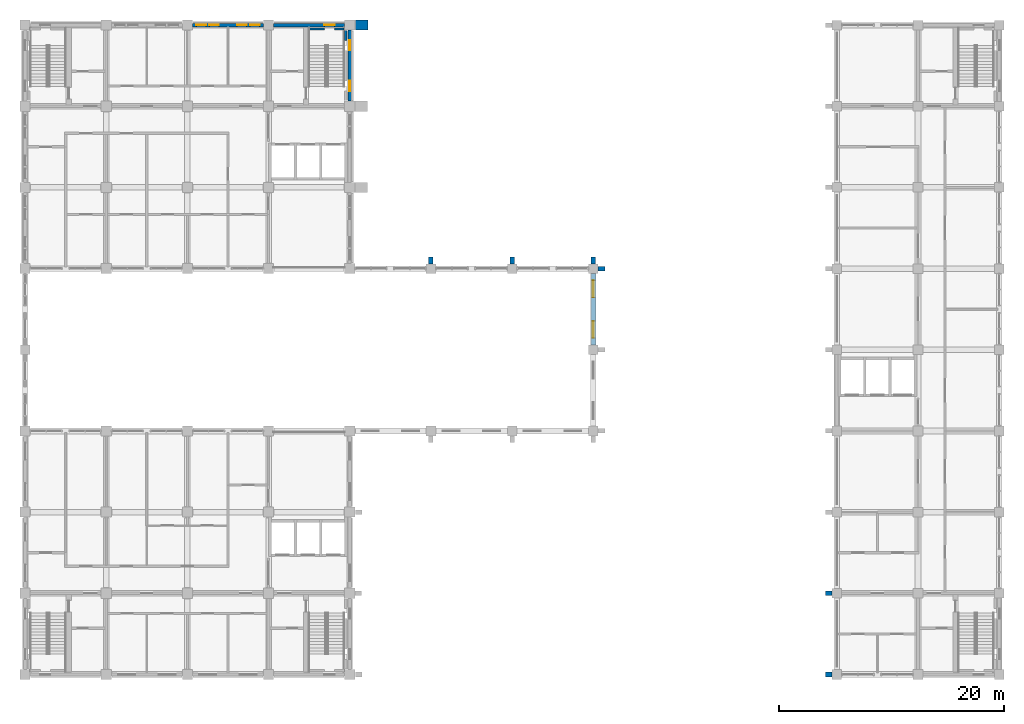
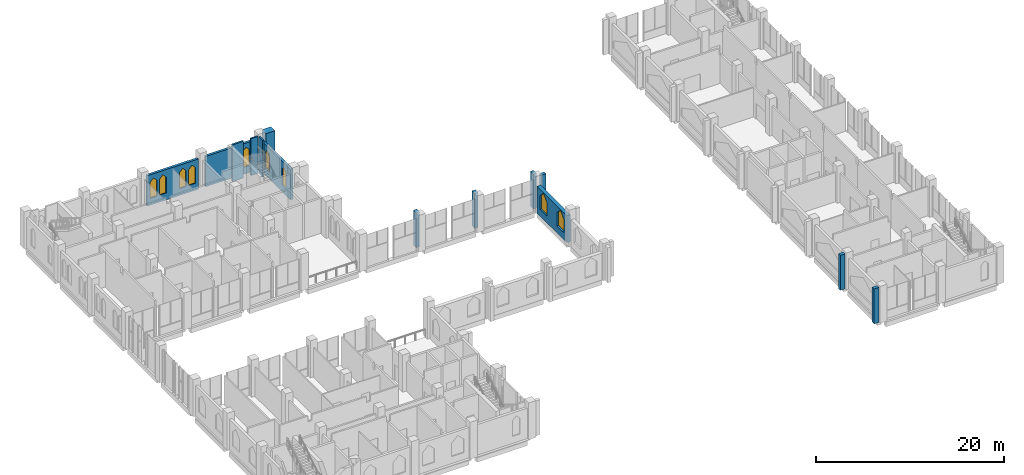
# One storey, part 33 of 40: 14 walls, 9 windows, 9 openings.
"""IFC4 building model written with IfcOpenShell, lengths in metres."""

from ifc_helpers import new_model, si_unit, direction, frame, frame_2d, origin, place, context, subcontext, project, spatial, polyline, rectangle, outline, extrude, material, layer, layer_set, type_object, element, fill, save


model = new_model("IFC4")

# Units and contexts
model_context = context("Model", 3, precision=1e-05, world=origin(), true_north=direction((0.0, 1.0)))
body_context = subcontext(model_context, "Body", "Model", "MODEL_VIEW")
ifc_project = project(units=[si_unit("LENGTHUNIT", "METRE"), si_unit("AREAUNIT", "SQUARE_METRE"), si_unit("VOLUMEUNIT", "CUBIC_METRE"), si_unit("PLANEANGLEUNIT", "RADIAN"), si_unit("MASSUNIT", "GRAM", prefix="KILO")], contexts=[model_context])

# Site, building, storey
site_placement = place(None, origin())
site = spatial("IfcSite", under=ifc_project, at=site_placement, CompositionType="ELEMENT")
building_placement = place(site_placement, origin())
building = spatial("IfcBuilding", under=site, at=building_placement, Name="Silangan Lancet Faculty of Sciences", CompositionType="ELEMENT")
storey_placement = place(building_placement, frame((0.0, 0.0, 16.800048828125)))
storey = spatial("IfcBuildingStorey", under=building, at=storey_placement, Name="L03", CompositionType="ELEMENT", Elevation=16.800048828125)

# Wall, openings, windows
ifc_material_1 = material(Name="Concrete C40/50 precast", Category="concrete")
ifc_layer_1 = layer(ifc_material_1, 0.300048828125)
ifc_layer_set_1 = layer_set([ifc_layer_1], Name="Concrete C40/50 precast")
wall_type_1 = type_object("IfcWallType", Name="EW1 Precast cladding wall", PredefinedType="STANDARD", material=ifc_layer_set_1)
wall_1_placement = place(storey_placement, frame((21.14990234375, 57.60009765625, 0.0), z_axis=(0.0, 0.0, 1.0), x_axis=(-1.0, 0.0, 0.0)))
wall_1 = element("IfcWall", 1, at=wall_1_placement, inside=storey, type_object=wall_type_1, Name="EW-L03-N-NT-01", PredefinedType="STANDARD", context=body_context, shape_type="SweptSolid", body=[
    extrude(rectangle(XDim=6.2998046875, YDim=0.300048828125, at=frame_2d((3.14990234375, 0.0))), origin(), (0.0, 0.0, 1.0), 3.949951171875),
])
opening_1_placement = place(wall_1_placement, frame((0.35009765625, 0.0, 0.89990234375)))
opening_1 = element("IfcOpeningElement", 2, at=opening_1_placement, cuts=wall_1, Name="Opening W14", PredefinedType="OPENING", context=body_context, shape_type="SweptSolid", body=[
    extrude(outline(polyline([(0.0, 0.0), (0.85009765625, 0.0), (0.85009765625, 2.050048828125), (0.425048828125, 2.5), (0.0, 2.050048828125), (0.0, 0.0)])), frame((0.0, 0.159912109375, 0.0), z_axis=(0.0, -1.0, 0.0), x_axis=(1.0, 0.0, 0.0)), (0.0, 0.0, 1.0), 0.320068359375),
])
opening_2_placement = place(wall_1_placement, frame((1.5, 0.0, 0.89990234375)))
opening_2 = element("IfcOpeningElement", 3, at=opening_2_placement, cuts=wall_1, Name="Opening W14", PredefinedType="OPENING", context=body_context, shape_type="SweptSolid", body=[
    extrude(outline(polyline([(0.0, 0.0), (0.85009765625, 0.0), (0.85009765625, 2.050048828125), (0.425048828125, 2.5), (0.0, 2.050048828125), (0.0, 0.0)])), frame((0.0, 0.159912109375, 0.0), z_axis=(0.0, -1.0, 0.0), x_axis=(1.0, 0.0, 0.0)), (0.0, 0.0, 1.0), 0.320068359375),
])
opening_3_placement = place(wall_1_placement, frame((3.949951171875, 0.0, 0.89990234375)))
opening_3 = element("IfcOpeningElement", 4, at=opening_3_placement, cuts=wall_1, Name="Opening W14", PredefinedType="OPENING", context=body_context, shape_type="SweptSolid", body=[
    extrude(outline(polyline([(0.0, 0.0), (0.85009765625, 0.0), (0.85009765625, 2.050048828125), (0.425048828125, 2.5), (0.0, 2.050048828125), (0.0, 0.0)])), frame((0.0, 0.159912109375, 0.0), z_axis=(0.0, -1.0, 0.0), x_axis=(1.0, 0.0, 0.0)), (0.0, 0.0, 1.0), 0.320068359375),
])
opening_4_placement = place(wall_1_placement, frame((5.10009765625, 0.0, 0.89990234375)))
opening_4 = element("IfcOpeningElement", 5, at=opening_4_placement, cuts=wall_1, Name="Opening W14", PredefinedType="OPENING", context=body_context, shape_type="SweptSolid", body=[
    extrude(outline(polyline([(0.0, 0.0), (0.85009765625, 0.0), (0.85009765625, 2.050048828125), (0.425048828125, 2.5), (0.0, 2.050048828125), (0.0, 0.0)])), frame((0.0, 0.159912109375, 0.0), z_axis=(0.0, -1.0, 0.0), x_axis=(1.0, 0.0, 0.0)), (0.0, 0.0, 1.0), 0.320068359375),
])
ifc_material_2 = material(Name="Aluminium frame, laminated double glazing", Category="aluminium")
window_type_1 = type_object("IfcWindowType", Name="W14 Lancet window 850 x 2500", PartitioningType="SINGLE_PANEL", PredefinedType="WINDOW", material=ifc_material_2)
window_1_placement = place(opening_1_placement, origin())
window_1 = element("IfcWindow", 6, at=window_1_placement, inside=storey, type_object=window_type_1, Name="WIN-L03-N-NT-01a1", OverallHeight=2.5, OverallWidth=0.85009765625, PartitioningType="SINGLE_PANEL", PredefinedType="WINDOW", context=body_context, shape_type="SweptSolid", body=[
    extrude(outline(polyline([(0.0, 0.0), (0.85009765625, 0.0), (0.85009765625, 2.050048828125), (0.425048828125, 2.5), (0.0, 2.050048828125), (0.0, 0.0)])), frame((0.0, 0.030029296875, 0.0), z_axis=(0.0, -1.0, 0.0), x_axis=(1.0, 0.0, 0.0)), (0.0, 0.0, 1.0), 0.06005859375),
])
fill(opening_1, window_1)
window_2_placement = place(opening_2_placement, origin())
window_2 = element("IfcWindow", 7, at=window_2_placement, inside=storey, type_object=window_type_1, Name="WIN-L03-N-NT-01a2", OverallHeight=2.5, OverallWidth=0.85009765625, PartitioningType="SINGLE_PANEL", PredefinedType="WINDOW", context=body_context, shape_type="SweptSolid", body=[
    extrude(outline(polyline([(0.0, 0.0), (0.85009765625, 0.0), (0.85009765625, 2.050048828125), (0.425048828125, 2.5), (0.0, 2.050048828125), (0.0, 0.0)])), frame((0.0, 0.030029296875, 0.0), z_axis=(0.0, -1.0, 0.0), x_axis=(1.0, 0.0, 0.0)), (0.0, 0.0, 1.0), 0.06005859375),
])
fill(opening_2, window_2)
window_3_placement = place(opening_3_placement, origin())
window_3 = element("IfcWindow", 8, at=window_3_placement, inside=storey, type_object=window_type_1, Name="WIN-L03-N-NT-01b1", OverallHeight=2.5, OverallWidth=0.85009765625, PartitioningType="SINGLE_PANEL", PredefinedType="WINDOW", context=body_context, shape_type="SweptSolid", body=[
    extrude(outline(polyline([(0.0, 0.0), (0.85009765625, 0.0), (0.85009765625, 2.050048828125), (0.425048828125, 2.5), (0.0, 2.050048828125), (0.0, 0.0)])), frame((0.0, 0.030029296875, 0.0), z_axis=(0.0, -1.0, 0.0), x_axis=(1.0, 0.0, 0.0)), (0.0, 0.0, 1.0), 0.06005859375),
])
fill(opening_3, window_3)
window_4_placement = place(opening_4_placement, origin())
window_4 = element("IfcWindow", 9, at=window_4_placement, inside=storey, type_object=window_type_1, Name="WIN-L03-N-NT-01b2", OverallHeight=2.5, OverallWidth=0.85009765625, PartitioningType="SINGLE_PANEL", PredefinedType="WINDOW", context=body_context, shape_type="SweptSolid", body=[
    extrude(outline(polyline([(0.0, 0.0), (0.85009765625, 0.0), (0.85009765625, 2.050048828125), (0.425048828125, 2.5), (0.0, 2.050048828125), (0.0, 0.0)])), frame((0.0, 0.030029296875, 0.0), z_axis=(0.0, -1.0, 0.0), x_axis=(1.0, 0.0, 0.0)), (0.0, 0.0, 1.0), 0.06005859375),
])
fill(opening_4, window_4)

# Wall, opening, window
ifc_material_3 = material(Name="Concrete C40/50 precast", Category="concrete")
ifc_layer_2 = layer(ifc_material_3, 0.300048828125)
ifc_layer_set_2 = layer_set([ifc_layer_2], Name="Concrete C40/50 precast")
wall_type_2 = type_object("IfcWallType", Name="EW2 Turret enclosure wall", PredefinedType="STANDARD", material=ifc_layer_set_2)
wall_2_placement = place(storey_placement, frame((28.35009765625, 57.60009765625, 0.0), z_axis=(0.0, 0.0, 1.0), x_axis=(-1.0, 0.0, 0.0)))
wall_2 = element("IfcWall", 10, at=wall_2_placement, inside=storey, type_object=wall_type_2, Name="EW-L03-N-NT-00", PredefinedType="STANDARD", context=body_context, shape_type="SweptSolid", body=[
    extrude(rectangle(XDim=6.300048828125, YDim=0.300048828125, at=frame_2d((3.14990234375, 0.0))), origin(), (0.0, 0.0, 1.0), 3.949951171875),
])
opening_5_placement = place(wall_2_placement, frame((0.89990234375, 0.0, 0.89990234375)))
opening_5 = element("IfcOpeningElement", 11, at=opening_5_placement, cuts=wall_2, Name="Opening W11", PredefinedType="OPENING", context=body_context, shape_type="SweptSolid", body=[
    extrude(outline(polyline([(0.0, 0.0), (0.89990234375, 0.0), (0.89990234375, 2.050048828125), (0.449951171875, 2.5), (0.0, 2.050048828125), (0.0, 0.0)])), frame((0.0, 0.159912109375, 0.0), z_axis=(0.0, -1.0, 0.0), x_axis=(1.0, 0.0, 0.0)), (0.0, 0.0, 1.0), 0.320068359375),
])
ifc_material_4 = material(Name="Aluminium frame, laminated double glazing", Category="aluminium")
window_type_2 = type_object("IfcWindowType", Name="W11 Lancet window 900 x 2500", PartitioningType="SINGLE_PANEL", PredefinedType="WINDOW", material=ifc_material_4)
window_5_placement = place(opening_5_placement, origin())
window_5 = element("IfcWindow", 12, at=window_5_placement, inside=storey, type_object=window_type_2, Name="WIN-L03-N-NT-00a", OverallHeight=2.5, OverallWidth=0.89990234375, PartitioningType="SINGLE_PANEL", PredefinedType="WINDOW", context=body_context, shape_type="SweptSolid", body=[
    extrude(outline(polyline([(0.0, 0.0), (0.89990234375, 0.0), (0.89990234375, 2.050048828125), (0.449951171875, 2.5), (0.0, 2.050048828125), (0.0, 0.0)])), frame((0.0, 0.030029296875, 0.0), z_axis=(0.0, -1.0, 0.0), x_axis=(1.0, 0.0, 0.0)), (0.0, 0.0, 1.0), 0.06005859375),
])
fill(opening_5, window_5)

# Wall, openings, windows
wall_3_placement = place(storey_placement, frame((28.800048828125, 50.85009765625, 0.0), z_axis=(0.0, 0.0, 1.0), x_axis=(0.0, 1.0, 0.0)))
wall_3 = element("IfcWall", 13, at=wall_3_placement, inside=storey, type_object=wall_type_2, Name="EW-L03-E-NT-02", PredefinedType="STANDARD", context=body_context, shape_type="SweptSolid", body=[
    extrude(rectangle(XDim=6.2998046875, YDim=0.300048828125, at=frame_2d((3.14990234375, 0.0))), origin(), (0.0, 0.0, 1.0), 3.949951171875),
])
opening_6_placement = place(wall_3_placement, frame((0.89990234375, 0.0, 0.89990234375)))
opening_6 = element("IfcOpeningElement", 14, at=opening_6_placement, cuts=wall_3, Name="Opening W11", PredefinedType="OPENING", context=body_context, shape_type="SweptSolid", body=[
    extrude(outline(polyline([(0.0, 0.0), (0.89990234375, 0.0), (0.89990234375, 2.050048828125), (0.449951171875, 2.5), (0.0, 2.050048828125), (0.0, 0.0)])), frame((0.0, 0.159912109375, 0.0), z_axis=(0.0, -1.0, 0.0), x_axis=(1.0, 0.0, 0.0)), (0.0, 0.0, 1.0), 0.320068359375),
])
opening_7_placement = place(wall_3_placement, frame((4.5, 0.0, 0.89990234375)))
opening_7 = element("IfcOpeningElement", 15, at=opening_7_placement, cuts=wall_3, Name="Opening W11", PredefinedType="OPENING", context=body_context, shape_type="SweptSolid", body=[
    extrude(outline(polyline([(0.0, 0.0), (0.89990234375, 0.0), (0.89990234375, 2.050048828125), (0.449951171875, 2.5), (0.0, 2.050048828125), (0.0, 0.0)])), frame((0.0, 0.159912109375, 0.0), z_axis=(0.0, -1.0, 0.0), x_axis=(1.0, 0.0, 0.0)), (0.0, 0.0, 1.0), 0.320068359375),
])
window_6_placement = place(opening_6_placement, origin())
window_6 = element("IfcWindow", 16, at=window_6_placement, inside=storey, type_object=window_type_2, Name="WIN-L03-E-NT-02a", OverallHeight=2.5, OverallWidth=0.89990234375, PartitioningType="SINGLE_PANEL", PredefinedType="WINDOW", context=body_context, shape_type="SweptSolid", body=[
    extrude(outline(polyline([(0.0, 0.0), (0.89990234375, 0.0), (0.89990234375, 2.050048828125), (0.449951171875, 2.5), (0.0, 2.050048828125), (0.0, 0.0)])), frame((0.0, 0.030029296875, 0.0), z_axis=(0.0, -1.0, 0.0), x_axis=(1.0, 0.0, 0.0)), (0.0, 0.0, 1.0), 0.06005859375),
])
fill(opening_6, window_6)
window_7_placement = place(opening_7_placement, origin())
window_7 = element("IfcWindow", 17, at=window_7_placement, inside=storey, type_object=window_type_2, Name="WIN-L03-E-NT-02b", OverallHeight=2.5, OverallWidth=0.89990234375, PartitioningType="SINGLE_PANEL", PredefinedType="WINDOW", context=body_context, shape_type="SweptSolid", body=[
    extrude(outline(polyline([(0.0, 0.0), (0.89990234375, 0.0), (0.89990234375, 2.050048828125), (0.449951171875, 2.5), (0.0, 2.050048828125), (0.0, 0.0)])), frame((0.0, 0.030029296875, 0.0), z_axis=(0.0, -1.0, 0.0), x_axis=(1.0, 0.0, 0.0)), (0.0, 0.0, 1.0), 0.06005859375),
])
fill(opening_7, window_7)

ifc_material_5 = material(Name="Concrete C40/50", Category="concrete")
ifc_layer_3 = layer(ifc_material_5, 0.449951171875)
ifc_layer_set_3 = layer_set([ifc_layer_3], Name="Concrete C40/50")
wall_type_3 = type_object("IfcWallType", Name="EW8 Clerestory wall with deep reveals", PredefinedType="STANDARD", material=ifc_layer_set_3)
wall_4_placement = place(storey_placement, frame((50.39990234375, 29.22509765625, 0.0), z_axis=(0.0, 0.0, 1.0), x_axis=(0.0, 1.0, 0.0)))
wall_4 = element("IfcWall", 18, at=wall_4_placement, inside=storey, type_object=wall_type_3, Name="EW-L03-E-NAVE-01", PredefinedType="STANDARD", context=body_context, shape_type="SweptSolid", body=[
    extrude(rectangle(XDim=6.349853515625, YDim=0.449951171875, at=frame_2d((3.1748046875, 0.0))), origin(), (0.0, 0.0, 1.0), 3.5),
])
opening_8_placement = place(wall_4_placement, frame((0.625, 0.0, 0.89990234375)))
opening_8 = element("IfcOpeningElement", 19, at=opening_8_placement, cuts=wall_4, Name="Opening W12", PredefinedType="OPENING", context=body_context, shape_type="SweptSolid", body=[
    extrude(outline(polyline([(0.0, 0.0), (1.5, 0.0), (1.5, 1.75), (0.75, 2.5), (0.0, 1.75), (0.0, 0.0)])), frame((0.0, 0.23486328125, 0.0), z_axis=(0.0, -1.0, 0.0), x_axis=(1.0, 0.0, 0.0)), (0.0, 0.0, 1.0), 0.469970703125),
])
opening_9_placement = place(wall_4_placement, frame((4.22509765625, 0.0, 0.89990234375)))
opening_9 = element("IfcOpeningElement", 20, at=opening_9_placement, cuts=wall_4, Name="Opening W13", PredefinedType="OPENING", context=body_context, shape_type="SweptSolid", body=[
    extrude(outline(polyline([(0.0, 0.0), (1.5, 0.0), (1.5, 1.75), (0.75, 2.5), (0.0, 1.75), (0.0, 0.0)])), frame((0.0, 0.23486328125, 0.0), z_axis=(0.0, -1.0, 0.0), x_axis=(1.0, 0.0, 0.0)), (0.0, 0.0, 1.0), 0.469970703125),
])
ifc_material_6 = material(Name="Aluminium frame, laminated double glazing", Category="aluminium")
window_type_3 = type_object("IfcWindowType", Name="W12 Lancet window 1500 x 2500", PartitioningType="SINGLE_PANEL", PredefinedType="WINDOW", material=ifc_material_6)
window_8_placement = place(opening_8_placement, origin())
window_8 = element("IfcWindow", 21, at=window_8_placement, inside=storey, type_object=window_type_3, Name="WIN-L03-E-NAVE-01a", OverallHeight=2.5, OverallWidth=1.5, PartitioningType="SINGLE_PANEL", PredefinedType="WINDOW", context=body_context, shape_type="SweptSolid", body=[
    extrude(outline(polyline([(0.0, 0.0), (1.5, 0.0), (1.5, 1.75), (0.75, 2.5), (0.0, 1.75), (0.0, 0.0)])), frame((0.0, 0.030029296875, 0.0), z_axis=(0.0, -1.0, 0.0), x_axis=(1.0, 0.0, 0.0)), (0.0, 0.0, 1.0), 0.06005859375),
])
fill(opening_8, window_8)
ifc_material_7 = material(Name="Aluminium storm louvre blades", Category="aluminium")
window_type_4 = type_object("IfcWindowType", Name="W13 Storm louvre lancet 1500 x 2500", PartitioningType="SINGLE_PANEL", PredefinedType="WINDOW", material=ifc_material_7)
window_9_placement = place(opening_9_placement, origin())
window_9 = element("IfcWindow", 22, at=window_9_placement, inside=storey, type_object=window_type_4, Name="WIN-L03-E-NAVE-01b", OverallHeight=2.5, OverallWidth=1.5, PartitioningType="SINGLE_PANEL", PredefinedType="WINDOW", context=body_context, shape_type="SweptSolid", body=[
    extrude(outline(polyline([(0.0, 0.0), (1.5, 0.0), (1.5, 1.75), (0.75, 2.5), (0.0, 1.75), (0.0, 0.0)])), frame((0.0, 0.030029296875, 0.0), z_axis=(0.0, -1.0, 0.0), x_axis=(1.0, 0.0, 0.0)), (0.0, 0.0, 1.0), 0.06005859375),
])
fill(opening_9, window_9)

# Walls
ifc_material_8 = material(Name="Concrete C40/50 precast", Category="concrete")
ifc_layer_4 = layer(ifc_material_8, 0.89990234375)
ifc_layer_set_4 = layer_set([ifc_layer_4], Name="Concrete C40/50 precast")
wall_type_4 = type_object("IfcWallType", Name="FN50 Buttress Fin column line stage 1 4550", PredefinedType="POLYGONAL", material=ifc_layer_set_4)
wall_5_placement = place(storey_placement, frame((29.300048828125, 57.60009765625, 0.0), z_axis=(0.0, 0.0, 1.0), x_axis=(1.0, 0.0, 0.0)))
element("IfcWall", 23, at=wall_5_placement, inside=storey, type_object=wall_type_4, Name="FINC-E-NT-04", PredefinedType="POLYGONAL", context=body_context, shape_type="SweptSolid", body=[
    extrude(outline(polyline([(1.10009765625, 0.0), (1.10009765625, 4.550048828125), (0.0, 4.550048828125), (0.0, 0.0), (1.10009765625, 0.0)])), frame((0.0, 0.449951171875, 0.0), z_axis=(0.0, -1.0, 0.0), x_axis=(1.0, 0.0, 0.0)), (0.0, 0.0, 1.0), 0.89990234375),
])
ifc_material_9 = material(Name="Concrete C40/50 precast", Category="concrete")
ifc_layer_5 = layer(ifc_material_9, 0.39990234375)
ifc_layer_set_5 = layer_set([ifc_layer_5], Name="Concrete C40/50 precast")
wall_type_5 = type_object("IfcWallType", Name="FN53 Buttress Fin column line stage 1 4550", PredefinedType="POLYGONAL", material=ifc_layer_set_5)
for number, where, z_axis, x_axis, name in (
    (24, (36.0, 36.425048828125, 0.0), (0.0, 0.0, 1.0), (0.0, 1.0, 0.0), "FINC-N-NAVE-CL-01"),
    (25, (43.199951171875, 36.425048828125, 0.0), (0.0, 0.0, 1.0), (0.0, 1.0, 0.0), "FINC-N-NAVE-CL-02"),
    (26, (50.39990234375, 36.425048828125, 0.0), (0.0, 0.0, 1.0), (0.0, 1.0, 0.0), "FINC-N-NAVE-CL-03"),
    (27, (50.824951171875, 36.0, 0.0), (0.0, 0.0, 1.0), (1.0, 0.0, 0.0), "FINC-E-NAVE-03"),
    (28, (71.574951171875, 0.0, 0.0), (0.0, 0.0, 1.0), (-1.0, 0.0, 0.0), "FINC-W-EB-01"),
    (29, (71.574951171875, 7.199951171875, 0.0), (0.0, 0.0, 1.0), (-1.0, 0.0, 0.0), "FINC-W-EB-02"),
):
    element("IfcWall", number, at=place(storey_placement, frame(where, z_axis=z_axis, x_axis=x_axis)), inside=storey, type_object=wall_type_5, Name=name, PredefinedType="POLYGONAL", context=body_context, shape_type="SweptSolid", body=[
        extrude(outline(polyline([(0.60009765625, 0.0), (0.60009765625, 4.550048828125), (0.0, 4.550048828125), (0.0, 0.0), (0.60009765625, 0.0)])), frame((0.0, 0.199951171875, 0.0), z_axis=(0.0, -1.0, 0.0), x_axis=(1.0, 0.0, 0.0)), (0.0, 0.0, 1.0), 0.39990234375),
    ])
ifc_material_10 = material(Name="Concrete C40/50", Category="concrete")
ifc_layer_6 = layer(ifc_material_10, 0.199951171875)
ifc_layer_set_6 = layer_set([ifc_layer_6], Name="Concrete C40/50")
wall_type_6 = type_object("IfcWallType", Name="TURRET LINING WALL RC 200", PredefinedType="SHEAR", material=ifc_layer_set_6)
wall_6_placement = place(storey_placement, frame((28.449951171875, 56.25, -0.25), z_axis=(0.0, 0.0, 1.0), x_axis=(0.0, 1.0, 0.0)))
element("IfcWall", 30, at=wall_6_placement, inside=storey, type_object=wall_type_6, Name="WALL-L03-NT-B-WL-3", PredefinedType="SHEAR", context=body_context, shape_type="SweptSolid", body=[
    extrude(rectangle(XDim=0.85009765625, YDim=0.199951171875, at=frame_2d((0.425048828125, 0.0))), origin(), (0.0, 0.0, 1.0), 4.800048828125),
])
wall_7_placement = place(storey_placement, frame((25.14990234375, 57.25, -0.25), z_axis=(0.0, 0.0, 1.0), x_axis=(1.0, 0.0, 0.0)))
element("IfcWall", 31, at=wall_7_placement, inside=storey, type_object=wall_type_6, Name="WALL-L03-NT-B-WLD", PredefinedType="SHEAR", context=body_context, shape_type="SweptSolid", body=[
    extrude(rectangle(XDim=1.400146484375, YDim=0.199951171875, at=frame_2d((0.7001953125, 0.0))), origin(), (0.0, 0.0, 1.0), 4.800048828125),
])
wall_8_placement = place(storey_placement, frame((27.449951171875, 57.25, -0.25), z_axis=(0.0, 0.0, 1.0), x_axis=(1.0, 0.0, 0.0)))
element("IfcWall", 32, at=wall_8_placement, inside=storey, type_object=wall_type_6, Name="WALL-L03-NT-B-WLD-2", PredefinedType="SHEAR", context=body_context, shape_type="SweptSolid", body=[
    extrude(rectangle(XDim=0.85009765625, YDim=0.199951171875, at=frame_2d((0.425048828125, 0.0))), origin(), (0.0, 0.0, 1.0), 4.800048828125),
])

save(model, "model.ifc")
